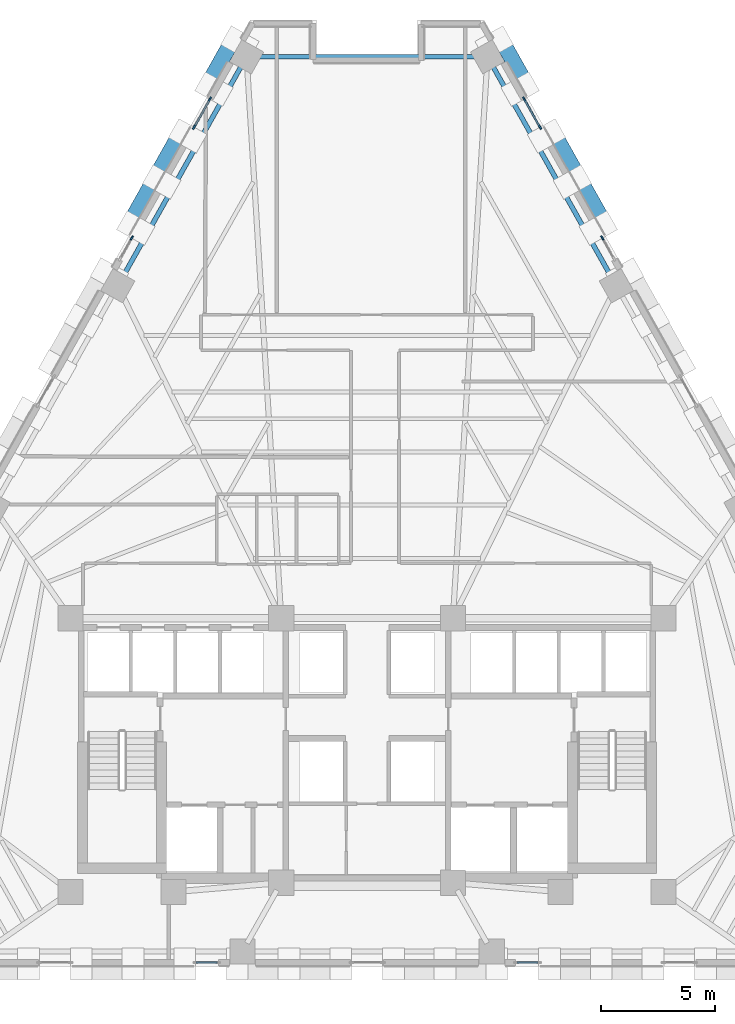
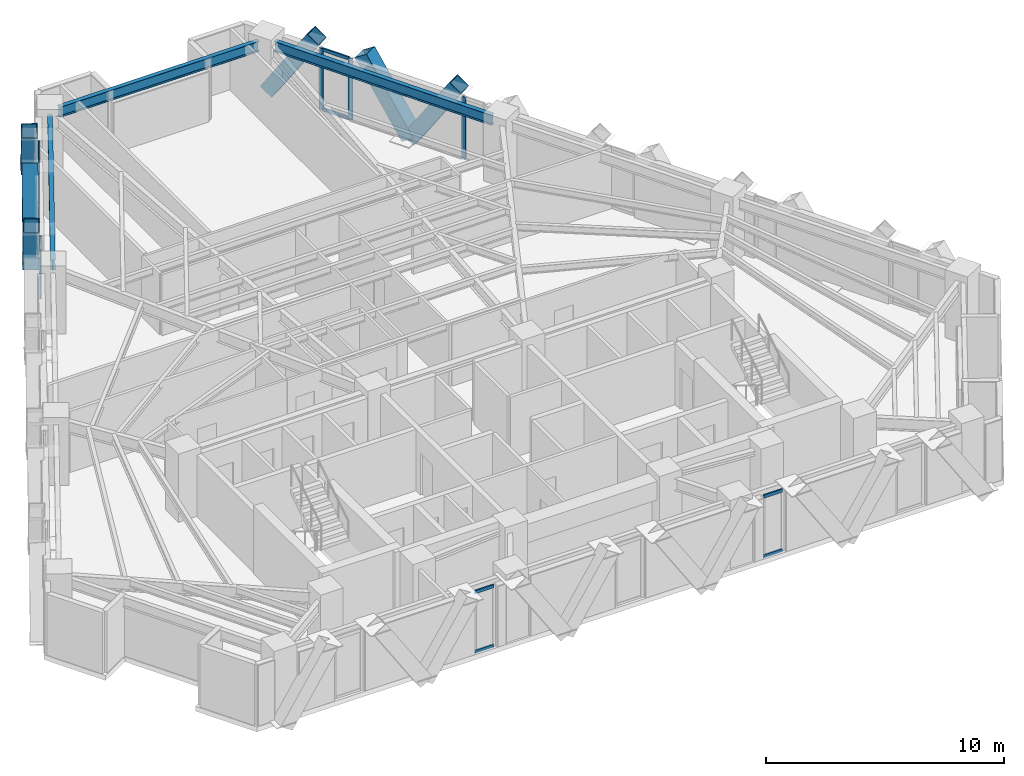
# One storey, part 5 of 13: 20 members, 3 beams, 6 elements without a shape of their own.
"""IFC4 building model written with IfcOpenShell, lengths in metres."""

from ifc_helpers import new_model, si_unit, direction, frame, origin, origin_2d, place, context, subcontext, project, spatial, rectangle, hollow_rectangle, i_section, extrude, material, material_profile, profile_set, type_object, element, aggregate, save


model = new_model("IFC4")

# Units and contexts
model_context = context("Model", 3, precision=1e-05, world=origin(), true_north=direction((0.0, 1.0)))
body_context = subcontext(model_context, "Body", "Model", "MODEL_VIEW")
ifc_project = project(units=[si_unit("LENGTHUNIT", "METRE"), si_unit("AREAUNIT", "SQUARE_METRE"), si_unit("VOLUMEUNIT", "CUBIC_METRE"), si_unit("PLANEANGLEUNIT", "RADIAN"), si_unit("MASSUNIT", "GRAM", prefix="KILO")], contexts=[model_context])

# Site, building, storey
site_placement = place(None, origin())
site = spatial("IfcSite", under=ifc_project, at=site_placement, CompositionType="ELEMENT")
building_placement = place(site_placement, origin())
building = spatial("IfcBuilding", under=site, at=building_placement, Name="Quenlor Broadcast Tower", CompositionType="ELEMENT")
storey_placement = place(building_placement, frame((0.0, 0.0, 87.10009765625)))
storey = spatial("IfcBuildingStorey", under=building, at=storey_placement, Name="L23", CompositionType="ELEMENT", Elevation=87.10009765625)

# Curtain wall, members
ifc_material_1 = material(Name="Architectural Terracotta and Low-E Glazing", Category="masonry")
curtain_wall_type = type_object("IfcCurtainWallType", Name="Unitised Terracotta Curtain Wall System Z2", PredefinedType="NOTDEFINED", material=ifc_material_1)
curtain_wall_1_placement = place(storey_placement, origin())
curtain_wall_1 = element("IfcCurtainWall", 1, at=curtain_wall_1_placement, inside=storey, type_object=curtain_wall_type, Name="L23 Curtain Wall CW2 (L23-NEA-G1)", PredefinedType="NOTDEFINED")
ifc_material_2 = material(Name="Aluminium 6063-T6", Category="aluminium")
ifc_material_profile_1 = material_profile(ifc_material_2, rectangle(XDim=0.074951171875, YDim=0.199951171875, at=origin_2d()))
ifc_profile_set_1 = profile_set([ifc_material_profile_1], Name="Aluminium 6063-T6 MULL75x200")
member_type_1 = type_object("IfcMemberType", Name="CW2 Aluminium Mullion MULL_CW2", PredefinedType="MULLION", material=ifc_profile_set_1)
member_1_placement = place(storey_placement, frame((6.8623046875, 17.874267578125, 0.0), z_axis=(0.0, 0.0, 1.0), x_axis=(0.871602396212, 0.490213487083, 0.0)))
member_1 = element("IfcMember", 2, at=member_1_placement, type_object=member_type_1, Name="CW2 mullion 1", PredefinedType="MULLION", context=body_context, shape_type="SweptSolid", body=[
    extrude(rectangle(XDim=0.074951171875, YDim=0.199951171875, at=origin_2d()), origin(), (0.0, 0.0, 1.0), 3.139892578125),
])
member_2_placement = place(storey_placement, frame((7.556396484375, 16.639892578125, 0.0), z_axis=(0.0, 0.0, 1.0), x_axis=(0.871602396212, 0.490213487083, 0.0)))
member_2 = element("IfcMember", 3, at=member_2_placement, type_object=member_type_1, Name="CW2 mullion 2", PredefinedType="MULLION", context=body_context, shape_type="SweptSolid", body=[
    extrude(rectangle(XDim=0.074951171875, YDim=0.199951171875, at=origin_2d()), origin(), (0.0, 0.0, 1.0), 3.139892578125),
])

# Curtain wall, member
curtain_wall_2_placement = place(storey_placement, origin())
curtain_wall_2 = element("IfcCurtainWall", 4, at=curtain_wall_2_placement, inside=storey, type_object=curtain_wall_type, Name="L23 Curtain Wall CW2 (L23-NEA-G2)", PredefinedType="NOTDEFINED")
member_3_placement = place(storey_placement, frame((10.275390625, 11.806396484375, 0.0), z_axis=(0.0, 0.0, 1.0), x_axis=(0.8715826837, 0.490248534392, 0.0)))
member_3 = element("IfcMember", 5, at=member_3_placement, type_object=member_type_1, Name="CW2 mullion 1", PredefinedType="MULLION", context=body_context, shape_type="SweptSolid", body=[
    extrude(rectangle(XDim=0.074951171875, YDim=0.199951171875, at=origin_2d()), origin(), (0.0, 0.0, 1.0), 3.139892578125),
])
aggregate(curtain_wall_2, [member_3])

curtain_wall_3_placement = place(storey_placement, origin())
curtain_wall_3 = element("IfcCurtainWall", 6, at=curtain_wall_3_placement, inside=storey, type_object=curtain_wall_type, Name="L23 Curtain Wall CW2 (L23-NWC-G1)", PredefinedType="NOTDEFINED")
member_4_placement = place(storey_placement, frame((-10.275390625, 11.806396484375, 0.0), z_axis=(0.0, 0.0, 1.0), x_axis=(-0.8715826837, 0.490248534392, 0.0)))
member_4 = element("IfcMember", 7, at=member_4_placement, type_object=member_type_1, Name="CW2 mullion 2", PredefinedType="MULLION", context=body_context, shape_type="SweptSolid", body=[
    extrude(rectangle(XDim=0.074951171875, YDim=0.199951171875, at=origin_2d()), origin(), (0.0, 0.0, 1.0), 3.139892578125),
])
aggregate(curtain_wall_3, [member_4])

# Curtain wall, members
curtain_wall_4_placement = place(storey_placement, origin())
curtain_wall_4 = element("IfcCurtainWall", 8, at=curtain_wall_4_placement, inside=storey, type_object=curtain_wall_type, Name="L23 Curtain Wall CW2 (L23-NWC-G2)", PredefinedType="NOTDEFINED")
member_5_placement = place(storey_placement, frame((-7.556396484375, 16.639892578125, 0.0), z_axis=(0.0, 0.0, 1.0), x_axis=(-0.871602396212, 0.490213487083, 0.0)))
member_5 = element("IfcMember", 9, at=member_5_placement, type_object=member_type_1, Name="CW2 mullion 1", PredefinedType="MULLION", context=body_context, shape_type="SweptSolid", body=[
    extrude(rectangle(XDim=0.074951171875, YDim=0.199951171875, at=origin_2d()), origin(), (0.0, 0.0, 1.0), 3.139892578125),
])
member_6_placement = place(storey_placement, frame((-6.8623046875, 17.874267578125, 0.0), z_axis=(0.0, 0.0, 1.0), x_axis=(-0.871602396212, 0.490213487083, 0.0)))
member_6 = element("IfcMember", 10, at=member_6_placement, type_object=member_type_1, Name="CW2 mullion 2", PredefinedType="MULLION", context=body_context, shape_type="SweptSolid", body=[
    extrude(rectangle(XDim=0.074951171875, YDim=0.199951171875, at=origin_2d()), origin(), (0.0, 0.0, 1.0), 3.139892578125),
])

curtain_wall_5_placement = place(storey_placement, origin())
curtain_wall_5 = element("IfcCurtainWall", 11, at=curtain_wall_5_placement, inside=storey, type_object=curtain_wall_type, Name="L23 Curtain Wall CW2 (L23-SA-G2)", PredefinedType="NOTDEFINED")
ifc_material_3 = material(Name="Aluminium 6063-T6", Category="aluminium")
ifc_material_profile_2 = material_profile(ifc_material_3, rectangle(XDim=0.074951171875, YDim=0.1650390625, at=origin_2d()))
ifc_profile_set_2 = profile_set([ifc_material_profile_2], Name="Aluminium 6063-T6 TRAN75x165")
member_type_2 = type_object("IfcMemberType", Name="CW2 Aluminium Transom TRAN_CW2", PredefinedType="USERDEFINED", material=ifc_profile_set_2)
member_7_placement = place(storey_placement, frame((7.46435546875, -19.840087890625, 0.037353515625), z_axis=(-1.0, 0.0, 0.0), x_axis=(0.0, -1.0, 0.0)))
member_7 = element("IfcMember", 12, at=member_7_placement, type_object=member_type_2, Name="CW2 transom 1.1", ObjectType="TRANSOM", PredefinedType="USERDEFINED", context=body_context, shape_type="SweptSolid", body=[
    extrude(rectangle(XDim=0.074951171875, YDim=0.1650390625, at=origin_2d()), origin(), (0.0, 0.0, 1.0), 0.9111328125),
])
member_8_placement = place(storey_placement, frame((7.46435546875, -19.840087890625, 3.102294921875), z_axis=(-1.0, 0.0, 0.0), x_axis=(0.0, -1.0, 0.0)))
member_8 = element("IfcMember", 13, at=member_8_placement, type_object=member_type_2, Name="CW2 transom 1.2", ObjectType="TRANSOM", PredefinedType="USERDEFINED", context=body_context, shape_type="SweptSolid", body=[
    extrude(rectangle(XDim=0.074951171875, YDim=0.1650390625, at=origin_2d()), origin(), (0.0, 0.0, 1.0), 0.9111328125),
])
aggregate(curtain_wall_5, [member_7, member_8])

curtain_wall_6_placement = place(storey_placement, origin())
curtain_wall_6 = element("IfcCurtainWall", 14, at=curtain_wall_6_placement, inside=storey, type_object=curtain_wall_type, Name="L23 Curtain Wall CW2 (L23-SC-G1)", PredefinedType="NOTDEFINED")
member_9_placement = place(storey_placement, frame((-6.55322265625, -19.840087890625, 0.037353515625), z_axis=(-1.0, 0.0, 0.0), x_axis=(0.0, -1.0, 0.0)))
member_9 = element("IfcMember", 15, at=member_9_placement, type_object=member_type_2, Name="CW2 transom 1.1", ObjectType="TRANSOM", PredefinedType="USERDEFINED", context=body_context, shape_type="SweptSolid", body=[
    extrude(rectangle(XDim=0.074951171875, YDim=0.1650390625, at=origin_2d()), origin(), (0.0, 0.0, 1.0), 0.9111328125),
])
member_10_placement = place(storey_placement, frame((-6.55322265625, -19.840087890625, 3.102294921875), z_axis=(-1.0, 0.0, 0.0), x_axis=(0.0, -1.0, 0.0)))
member_10 = element("IfcMember", 16, at=member_10_placement, type_object=member_type_2, Name="CW2 transom 1.2", ObjectType="TRANSOM", PredefinedType="USERDEFINED", context=body_context, shape_type="SweptSolid", body=[
    extrude(rectangle(XDim=0.074951171875, YDim=0.1650390625, at=origin_2d()), origin(), (0.0, 0.0, 1.0), 0.9111328125),
])
aggregate(curtain_wall_6, [member_9, member_10])

# Member
member_11_placement = place(storey_placement, frame((6.880615234375, 17.841552734375, 0.037353515625), z_axis=(0.490148897968, -0.871638719781, 0.0), x_axis=(0.871638719781, 0.490148897968, 0.0)))
member_11 = element("IfcMember", 17, at=member_11_placement, type_object=member_type_2, Name="CW2 transom 1.1", ObjectType="TRANSOM", PredefinedType="USERDEFINED", context=body_context, shape_type="SweptSolid", body=[
    extrude(rectangle(XDim=0.074951171875, YDim=0.1650390625, at=origin_2d()), origin(), (0.0, 0.0, 1.0), 1.34130859375),
])

member_12_placement = place(storey_placement, frame((6.880615234375, 17.841552734375, 3.102294921875), z_axis=(0.490148897968, -0.871638719781, 0.0), x_axis=(0.871638719781, 0.490148897968, 0.0)))
member_12 = element("IfcMember", 18, at=member_12_placement, type_object=member_type_2, Name="CW2 transom 1.2", ObjectType="TRANSOM", PredefinedType="USERDEFINED", context=body_context, shape_type="SweptSolid", body=[
    extrude(rectangle(XDim=0.074951171875, YDim=0.1650390625, at=origin_2d()), origin(), (0.0, 0.0, 1.0), 1.34130859375),
])

aggregate(curtain_wall_1, [member_1, member_2, member_11, member_12])

member_13_placement = place(storey_placement, frame((-7.5380859375, 16.67236328125, 0.037353515625), z_axis=(0.490148897968, 0.871638719781, 0.0), x_axis=(-0.871638719781, 0.490148897968, 0.0)))
member_13 = element("IfcMember", 19, at=member_13_placement, type_object=member_type_2, Name="CW2 transom 1.1", ObjectType="TRANSOM", PredefinedType="USERDEFINED", context=body_context, shape_type="SweptSolid", body=[
    extrude(rectangle(XDim=0.074951171875, YDim=0.1650390625, at=origin_2d()), origin(), (0.0, 0.0, 1.0), 1.34130859375),
])

member_14_placement = place(storey_placement, frame((-7.5380859375, 16.67236328125, 3.102294921875), z_axis=(0.490148897968, 0.871638719781, 0.0), x_axis=(-0.871638719781, 0.490148897968, 0.0)))
member_14 = element("IfcMember", 20, at=member_14_placement, type_object=member_type_2, Name="CW2 transom 1.2", ObjectType="TRANSOM", PredefinedType="USERDEFINED", context=body_context, shape_type="SweptSolid", body=[
    extrude(rectangle(XDim=0.074951171875, YDim=0.1650390625, at=origin_2d()), origin(), (0.0, 0.0, 1.0), 1.34130859375),
])

aggregate(curtain_wall_4, [member_5, member_6, member_13, member_14])

# Members
ifc_material_4 = material(Name="Steel S355", Category="steel")
ifc_material_profile_3 = material_profile(ifc_material_4, hollow_rectangle(XDim=0.679931640625, YDim=0.679931640625, WallThickness=0.030029296875, at=origin_2d()))
ifc_profile_set_3 = profile_set([ifc_material_profile_3], Name="Steel S355 RHS680x680x30")
member_type_3 = type_object("IfcMemberType", Name="Perimeter Diagonal Lattice Brace Z2 Steel S355 RHS680x30", PredefinedType="BRACE", material=ifc_profile_set_3)
for number, where, z_axis, x_axis, name in (
    (21, (5.85400390625, 20.472412109375, -0.1201171875), (0.26858823371, -0.477600411236, 0.836515515636), (0.871623880158, 0.490175286544, 0.0), "L23 Perimeter Diamond Lattice NE-C1S"),
    (22, (9.25341796875, 14.428955078125, -0.1201171875), (-0.268642373731, 0.477592925498, 0.83650240439), (-0.871578380919, -0.490256183964, 0.0), "L23 Perimeter Diamond Lattice NE-C1B"),
    (23, (9.26708984375, 14.40478515625, -0.1201171875), (0.268642373731, -0.477592925498, 0.83650240439), (0.871578380919, 0.490256183964, 0.0), "L23 Perimeter Diamond Lattice NE-C2S"),
    (24, (-9.26708984375, 14.40478515625, -0.1201171875), (-0.268642373731, -0.477592925498, 0.83650240439), (0.871578380919, -0.490256183964, 0.0), "L23 Perimeter Diamond Lattice NW-C4B"),
    (25, (-9.25341796875, 14.428955078125, -0.1201171875), (0.268642373731, 0.477592925498, 0.83650240439), (-0.871578380919, 0.490256183964, 0.0), "L23 Perimeter Diamond Lattice NW-C5S"),
    (26, (-5.85400390625, 20.472412109375, -0.1201171875), (-0.26858823371, -0.477600411236, 0.836515515636), (0.871623880158, -0.490175286544, 0.0), "L23 Perimeter Diamond Lattice NW-C5B"),
):
    element("IfcMember", number, at=place(storey_placement, frame(where, z_axis=z_axis, x_axis=x_axis)), inside=storey, type_object=member_type_3, Name=name, PredefinedType="BRACE", context=body_context, shape_type="SweptSolid", body=[
        extrude(hollow_rectangle(XDim=0.679931640625, YDim=0.679931640625, WallThickness=0.030029296875, at=origin_2d()), origin(), (0.0, 0.0, 1.0), 4.18408203125),
    ])

# Beams
ifc_material_5 = material(Name="Steel S355", Category="steel")
ifc_material_profile_4 = material_profile(ifc_material_5, i_section(OverallWidth=0.208984375, OverallDepth=0.5283203125, WebThickness=0.009521484375, FlangeThickness=0.01318359375, FilletRadius=0.013916015625, at=origin_2d()))
ifc_profile_set_4 = profile_set([ifc_material_profile_4], Name="Steel S355 530UB82.0")
beam_type = type_object("IfcBeamType", Name="Perimeter Spandrel Beam Z2 Steel S355 530UB82.0", PredefinedType="SPANDREL", material=ifc_profile_set_4)
beam_1_placement = place(storey_placement, frame((10.685791015625, 10.076904296875, 2.875732421875), z_axis=(-0.490236213386, 0.871589613916, 0.0), x_axis=(-0.871589613916, -0.490236213386, 0.0)))
element("IfcBeam", 27, at=beam_1_placement, inside=storey, type_object=beam_type, Name="L23 Spandrel Beam NE3-NE4", PredefinedType="SPANDREL", context=body_context, shape_type="SweptSolid", body=[
    extrude(i_section(OverallWidth=0.208984375, OverallDepth=0.5283203125, WebThickness=0.009521484375, FlangeThickness=0.01318359375, FilletRadius=0.013916015625, at=origin_2d()), origin(), (0.0, 0.0, 1.0), 10.65283203125),
])
beam_2_placement = place(storey_placement, frame((4.852294921875, 19.718994140625, 2.875732421875), z_axis=(-1.0, 0.0, 0.0), x_axis=(0.0, -1.0, 0.0)))
element("IfcBeam", 28, at=beam_2_placement, inside=storey, type_object=beam_type, Name="L23 Spandrel Beam NE4-NW1", PredefinedType="SPANDREL", context=body_context, shape_type="SweptSolid", body=[
    extrude(i_section(OverallWidth=0.208984375, OverallDepth=0.5283203125, WebThickness=0.009521484375, FlangeThickness=0.01318359375, FilletRadius=0.013916015625, at=origin_2d()), origin(), (0.0, 0.0, 1.0), 9.70458984375),
])
beam_3_placement = place(storey_placement, frame((-5.46337890625, 19.36181640625, 2.875732421875), z_axis=(-0.490236213386, -0.871589613916, 0.0), x_axis=(0.871589613916, -0.490236213386, 0.0)))
element("IfcBeam", 29, at=beam_3_placement, inside=storey, type_object=beam_type, Name="L23 Spandrel Beam NW1-NW2", PredefinedType="SPANDREL", context=body_context, shape_type="SweptSolid", body=[
    extrude(i_section(OverallWidth=0.208984375, OverallDepth=0.5283203125, WebThickness=0.009521484375, FlangeThickness=0.01318359375, FilletRadius=0.013916015625, at=origin_2d()), origin(), (0.0, 0.0, 1.0), 10.65283203125),
])

save(model, "model.ifc")
